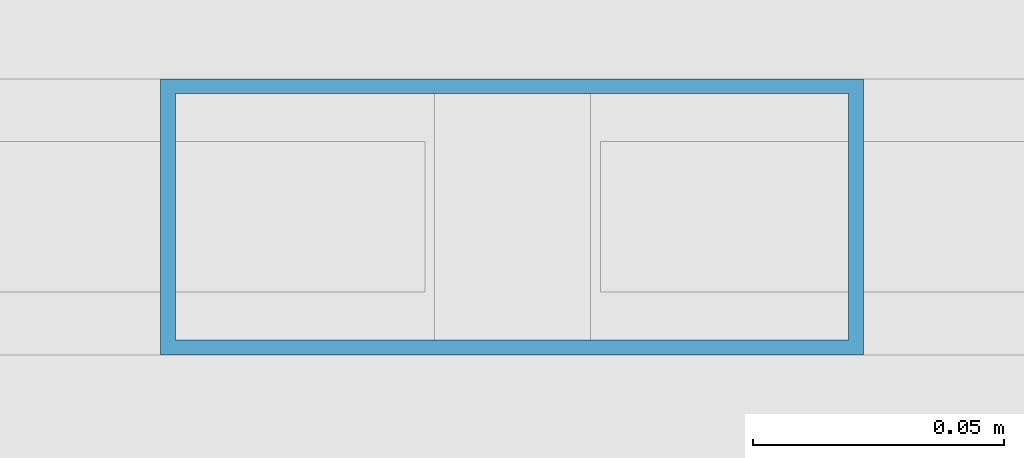
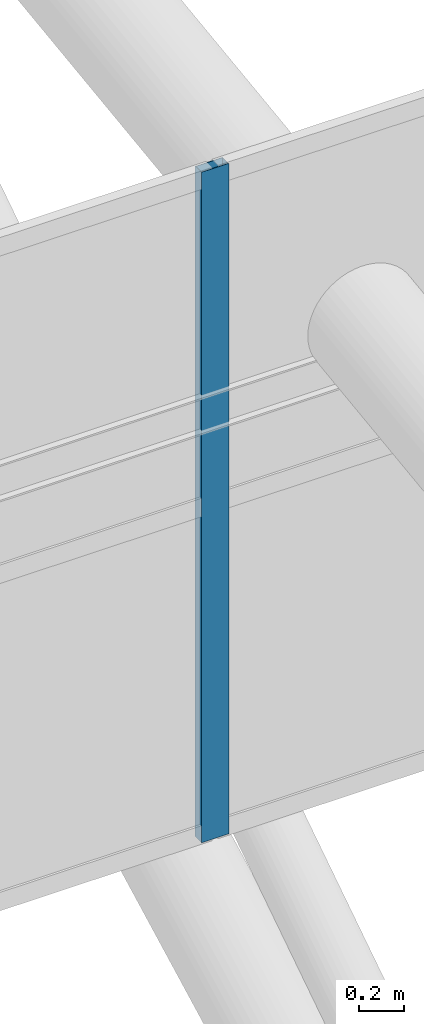
# One storey, part 91 of 397: 1 member, 1 element without a shape of its own.
"""IFC4 building model written with IfcOpenShell, lengths in metres."""

from ifc_helpers import new_model, si_unit, direction, frame, origin, origin_2d, place, context, subcontext, project, spatial, hollow_rectangle, extrude, material, material_profile, profile_set, type_object, element, aggregate, save


model = new_model("IFC4")

# Units and contexts
model_context = context("Model", 3, precision=1e-05, world=origin(), true_north=direction((0.0, 1.0)))
body_context = subcontext(model_context, "Body", "Model", "MODEL_VIEW")
ifc_project = project(units=[si_unit("LENGTHUNIT", "METRE"), si_unit("AREAUNIT", "SQUARE_METRE"), si_unit("VOLUMEUNIT", "CUBIC_METRE"), si_unit("PLANEANGLEUNIT", "RADIAN"), si_unit("MASSUNIT", "GRAM", prefix="KILO")], contexts=[model_context])

# Site, building, storey
site_placement = place(None, origin())
site = spatial("IfcSite", under=ifc_project, at=site_placement, CompositionType="ELEMENT")
building_placement = place(site_placement, origin())
building = spatial("IfcBuilding", under=site, at=building_placement, Name="Qandorah Velis Arena", CompositionType="ELEMENT")
storey_placement = place(building_placement, frame((0.0, 0.0, 27.5)))
storey = spatial("IfcBuildingStorey", under=building, at=storey_placement, Name="RF", CompositionType="ELEMENT", Elevation=27.5)

# Curtain wall, member
ifc_material_1 = material(Name="Solar-control low-E double glazing", Category="glass")
curtain_wall_type = type_object("IfcCurtainWallType", Name="ARC-CW-SYS22", PredefinedType="USERDEFINED", material=ifc_material_1)
curtain_wall_placement = place(storey_placement, origin())
curtain_wall = element("IfcCurtainWall", 1, at=curtain_wall_placement, inside=storey, type_object=curtain_wall_type, Name="Unitised curtain wall MON-3-4", ObjectType="UNITISED CURTAIN WALL", PredefinedType="USERDEFINED")
ifc_material_2 = material(Name="Champagne-bronze anodized aluminium 6063-T6", Category="aluminium")
ifc_material_profile = material_profile(ifc_material_2, hollow_rectangle(XDim=0.054931640625, YDim=0.139892578125, WallThickness=0.0029296875, at=origin_2d()), Name="ALU MULLION 55x140")
ifc_profile_set = profile_set([ifc_material_profile], Name="Champagne-bronze anodized aluminium 6063-T6")
member_type = type_object("IfcMemberType", Name="ARC-CWM-140", PredefinedType="MULLION", material=ifc_profile_set)
member_placement = place(storey_placement, frame((71.23876953125, 21.60009765625, 6.064697265625), z_axis=(0.0, 0.0, 1.0), x_axis=(0.0, 1.0, 0.0)))
member = element("IfcMember", 2, at=member_placement, type_object=member_type, Name="CW22 mullion 5", PredefinedType="MULLION", context=body_context, shape_type="SweptSolid", body=[
    extrude(hollow_rectangle(XDim=0.054931640625, YDim=0.139892578125, WallThickness=0.0029296875, at=origin_2d()), origin(), (0.0, 0.0, 1.0), 3.6298828125),
])
aggregate(curtain_wall, [member])

save(model, "model.ifc")
